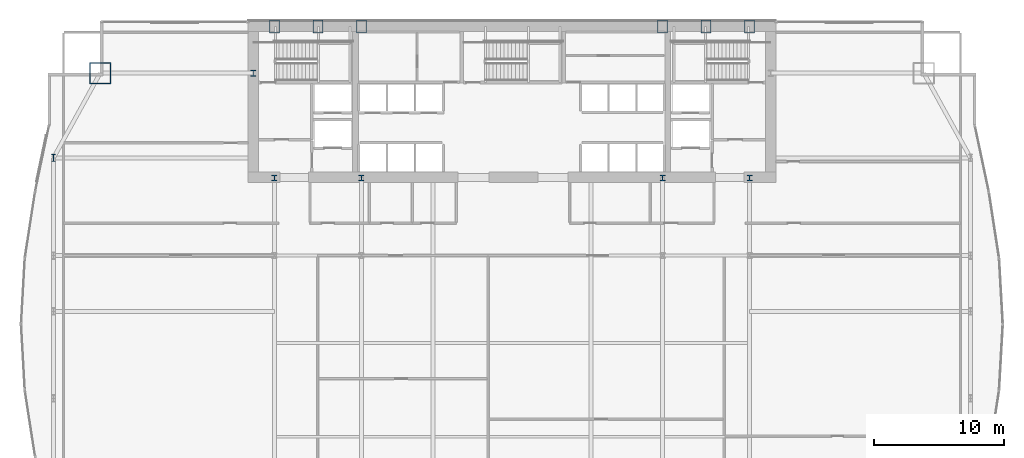
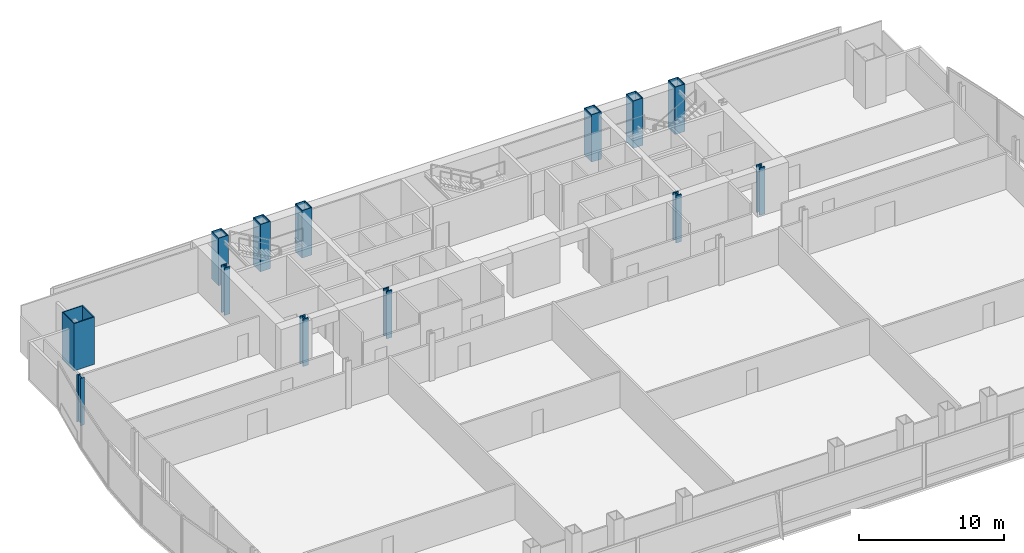
# One storey, part 3 of 35: 13 columns.
"""IFC4 building model written with IfcOpenShell, lengths in metres."""

from ifc_helpers import new_model, si_unit, direction, frame, origin, origin_2d, place, context, subcontext, project, spatial, hollow_rectangle, i_section, extrude, material, material_profile, profile_set, type_object, element, save


model = new_model("IFC4")

# Units and contexts
model_context = context("Model", 3, precision=1e-05, world=origin(), true_north=direction((0.0, 1.0)))
body_context = subcontext(model_context, "Body", "Model", "MODEL_VIEW")
ifc_project = project(units=[si_unit("LENGTHUNIT", "METRE"), si_unit("AREAUNIT", "SQUARE_METRE"), si_unit("VOLUMEUNIT", "CUBIC_METRE"), si_unit("PLANEANGLEUNIT", "RADIAN"), si_unit("MASSUNIT", "GRAM", prefix="KILO")], contexts=[model_context])

# Site, building, storey
site_placement = place(None, origin())
site = spatial("IfcSite", under=ifc_project, at=site_placement, CompositionType="ELEMENT")
building_placement = place(site_placement, origin())
building = spatial("IfcBuilding", under=site, at=building_placement, Name="Khoronbel Lancet Exchange", CompositionType="ELEMENT")
storey_placement = place(building_placement, frame((0.0, 0.0, 53.800048828125)))
storey = spatial("IfcBuildingStorey", under=building, at=storey_placement, Name="L12", CompositionType="ELEMENT", Elevation=53.800048828125)

# Columns
ifc_material_1 = material(Name="Steel S460", Category="steel")
ifc_material_profile_1 = material_profile(ifc_material_1, hollow_rectangle(XDim=0.800048828125, YDim=1.0, WallThickness=0.054931640625, at=origin_2d()), Name="BOX 1000x800x55")
ifc_profile_set_1 = profile_set([ifc_material_profile_1], Name="Steel S460")
column_type_1 = type_object("IfcColumnType", Name="COL-EC1", PredefinedType="COLUMN", material=ifc_profile_set_1)
for number, where, z_axis, x_axis, name in (
    (1, (18.22509765625, 53.280029296875, 0.0), (0.0, 0.0, 1.0), (1.0, 0.0, 0.0), "Structural column NC-W1 L12"),
    (2, (21.5625, 53.280029296875, 0.0), (0.0, 0.0, 1.0), (1.0, 0.0, 0.0), "Structural column NC-WM L12"),
    (3, (24.89990234375, 53.280029296875, 0.0), (0.0, 0.0, 1.0), (1.0, 0.0, 0.0), "Structural column NC-W2 L12"),
    (4, (48.0, 53.280029296875, 0.0), (0.0, 0.0, 1.0), (1.0, 0.0, 0.0), "Structural column NC-E1 L12"),
    (5, (51.33740234375, 53.280029296875, 0.0), (0.0, 0.0, 1.0), (1.0, 0.0, 0.0), "Structural column NC-EM L12"),
    (6, (54.675048828125, 53.280029296875, 0.0), (0.0, 0.0, 1.0), (1.0, 0.0, 0.0), "Structural column NC-E2 L12"),
):
    element("IfcColumn", number, at=place(storey_placement, frame(where, z_axis=z_axis, x_axis=x_axis)), inside=storey, type_object=column_type_1, Name=name, PredefinedType="COLUMN", context=body_context, shape_type="SweptSolid", body=[
        extrude(hollow_rectangle(XDim=0.800048828125, YDim=1.0, WallThickness=0.054931640625, at=origin_2d()), origin(), (0.0, 0.0, 1.0), 4.0),
    ])
ifc_material_profile_2 = material_profile(ifc_material_1, i_section(OverallWidth=0.424072265625, OverallDepth=0.47412109375, WebThickness=0.047607421875, FlangeThickness=0.076904296875, at=origin_2d()), Name="HD 400x634")
ifc_profile_set_2 = profile_set([ifc_material_profile_2], Name="Steel S460")
column_type_2 = type_object("IfcColumnType", Name="COL-IC1", PredefinedType="COLUMN", material=ifc_profile_set_2)
for number, where, z_axis, x_axis, name in (
    (7, (16.60009765625, 49.699951171875, 0.0), (0.0, 0.0, 1.0), (1.0, 0.0, 0.0), "Core-flank plumb transfer column CFW L12"),
    (8, (18.22509765625, 41.64990234375, 0.0), (0.0, 0.0, 1.0), (1.0, 0.0, 0.0), "Core-embedded steel column CTC1 L12"),
    (9, (24.89990234375, 41.64990234375, 0.0), (0.0, 0.0, 1.0), (1.0, 0.0, 0.0), "Core-embedded steel column CTC2 L12"),
    (10, (48.0, 41.64990234375, 0.0), (0.0, 0.0, 1.0), (1.0, 0.0, 0.0), "Core-embedded steel column CTC3 L12"),
    (11, (54.675048828125, 41.64990234375, 0.0), (0.0, 0.0, 1.0), (1.0, 0.0, 0.0), "Core-embedded steel column CTC4 L12"),
):
    element("IfcColumn", number, at=place(storey_placement, frame(where, z_axis=z_axis, x_axis=x_axis)), inside=storey, type_object=column_type_2, Name=name, PredefinedType="COLUMN", context=body_context, shape_type="SweptSolid", body=[
        extrude(i_section(OverallWidth=0.424072265625, OverallDepth=0.47412109375, WebThickness=0.047607421875, FlangeThickness=0.076904296875, at=origin_2d()), origin(), (0.0, 0.0, 1.0), 4.0),
    ])
ifc_material_2 = material(Name="Steel S355", Category="steel")
ifc_material_profile_3 = material_profile(ifc_material_2, i_section(OverallWidth=0.300048828125, OverallDepth=0.550048828125, WebThickness=0.014892578125, FlangeThickness=0.029052734375, at=origin_2d()), Name="HEB 550")
ifc_profile_set_3 = profile_set([ifc_material_profile_3], Name="Steel S355")
column_type_3 = type_object("IfcColumnType", Name="COL-LC1", PredefinedType="COLUMN", material=ifc_profile_set_3)
column_1_placement = place(storey_placement, frame((1.27001953125, 43.199951171875, 0.0), z_axis=(0.0, 0.0, 1.0), x_axis=(1.0, 0.0, 0.0)))
element("IfcColumn", 12, at=column_1_placement, inside=storey, type_object=column_type_3, Name="Structural column WC-4 L12", PredefinedType="COLUMN", context=body_context, shape_type="SweptSolid", body=[
    extrude(i_section(OverallWidth=0.300048828125, OverallDepth=0.550048828125, WebThickness=0.014892578125, FlangeThickness=0.029052734375, at=origin_2d()), origin(), (0.0, 0.0, 1.0), 4.0),
])
ifc_material_profile_4 = material_profile(ifc_material_1, hollow_rectangle(XDim=1.64990234375, YDim=1.64990234375, WallThickness=0.074951171875, at=origin_2d()), Name="BOX 1650x1650x75")
ifc_profile_set_4 = profile_set([ifc_material_profile_4], Name="Steel S460")
column_type_4 = type_object("IfcColumnType", Name="COL-MC2", PredefinedType="COLUMN", material=ifc_profile_set_4)
column_2_placement = place(storey_placement, frame((4.85009765625, 49.699951171875, 0.0), z_axis=(0.0, 0.0, 1.0), x_axis=(1.0, 0.0, 0.0)))
element("IfcColumn", 13, at=column_2_placement, inside=storey, type_object=column_type_4, Name="Structural column MC-NW L12", PredefinedType="COLUMN", context=body_context, shape_type="SweptSolid", body=[
    extrude(hollow_rectangle(XDim=1.64990234375, YDim=1.64990234375, WallThickness=0.074951171875, at=origin_2d()), origin(), (0.0, 0.0, 1.0), 4.0),
])

save(model, "model.ifc")
